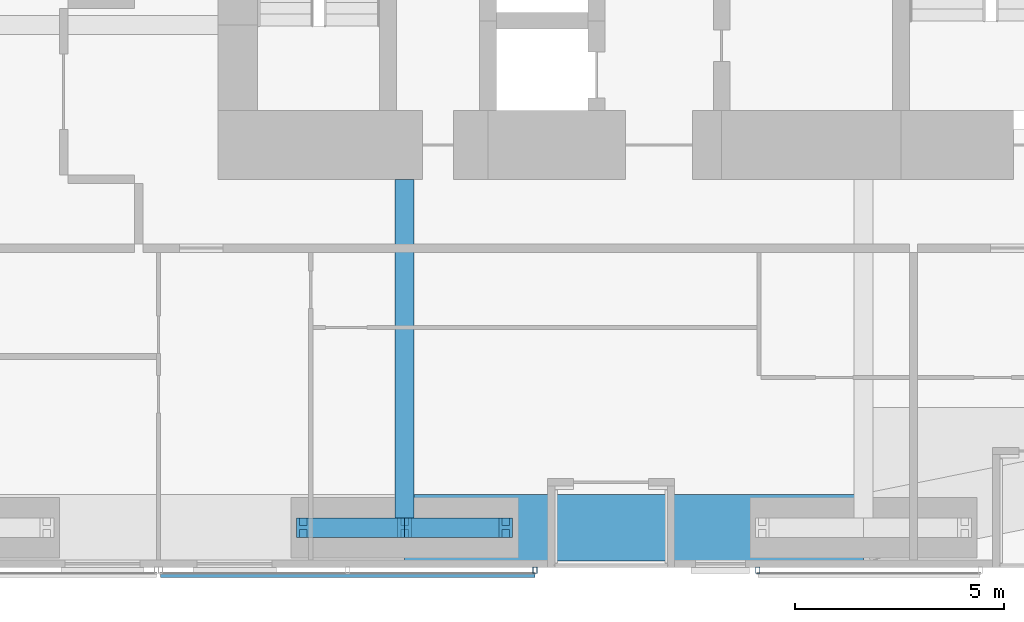
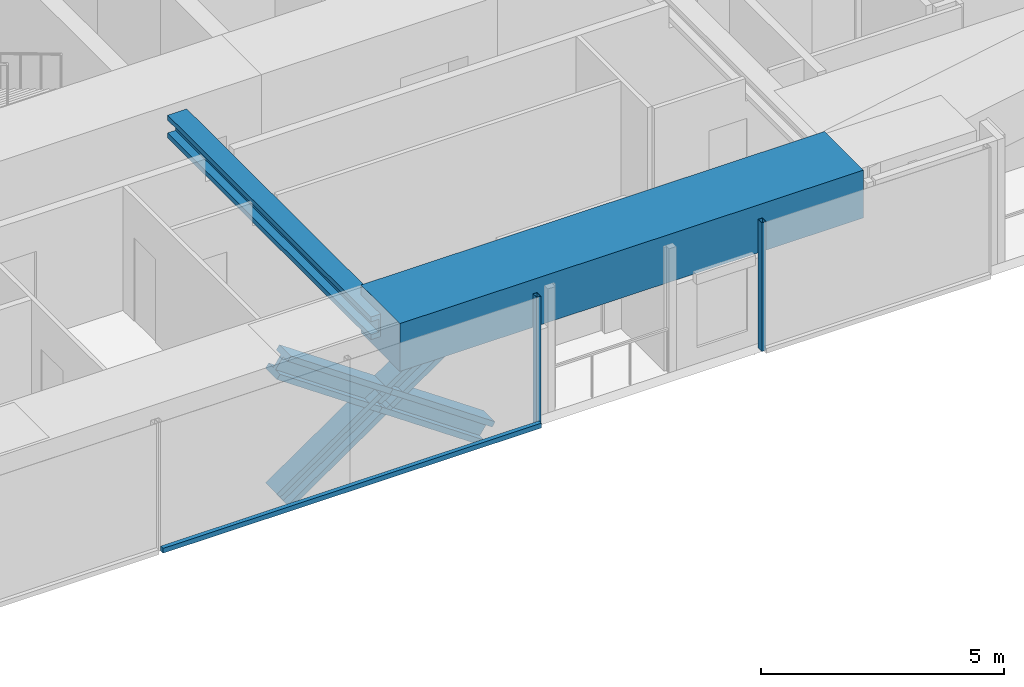
# One storey, part 5 of 24: 7 members, 2 beams, 2 elements without a shape of their own.
"""IFC4 building model written with IfcOpenShell, lengths in metres."""

from ifc_helpers import new_model, si_unit, direction, frame, origin, origin_2d, place, context, subcontext, project, spatial, rectangle, hollow_rectangle, i_section, extrude, material, material_profile, profile_set, type_object, element, aggregate, save


model = new_model("IFC4")

# Units and contexts
model_context = context("Model", 3, precision=1e-05, world=origin(), true_north=direction((0.0, 1.0)))
body_context = subcontext(model_context, "Body", "Model", "MODEL_VIEW")
ifc_project = project(units=[si_unit("LENGTHUNIT", "METRE"), si_unit("AREAUNIT", "SQUARE_METRE"), si_unit("VOLUMEUNIT", "CUBIC_METRE"), si_unit("PLANEANGLEUNIT", "RADIAN"), si_unit("MASSUNIT", "GRAM", prefix="KILO")], contexts=[model_context])

# Site, building, storey
site_placement = place(None, origin())
site = spatial("IfcSite", under=ifc_project, at=site_placement, CompositionType="ELEMENT")
building_placement = place(site_placement, origin())
building = spatial("IfcBuilding", under=site, at=building_placement, Name="Jalousie Tower", CompositionType="ELEMENT")
storey_placement = place(building_placement, frame((0.0, 0.0, 44.449951171875)))
storey = spatial("IfcBuildingStorey", under=building, at=storey_placement, Name="L11", CompositionType="ELEMENT", Elevation=44.449951171875)

# Beam
ifc_material_1 = material(Name="Steel ASTM A992 Grade 50", Category="steel")
ifc_material_profile_1 = material_profile(ifc_material_1, i_section(OverallWidth=0.45458984375, OverallDepth=0.569091796875, WebThickness=0.077880859375, FlangeThickness=0.124755859375, at=origin_2d()), Name="W14X730")
ifc_profile_set_1 = profile_set([ifc_material_profile_1], Name="Steel ASTM A992 Grade 50")
beam_type_1 = type_object("IfcBeamType", Name="LEAN COLLECTOR W14X730", PredefinedType="BEAM", material=ifc_profile_set_1)
beam_1_placement = place(storey_placement, frame((24.0, 0.949951171875, 2.825439453125), z_axis=(0.0, 1.0, 0.0), x_axis=(-1.0, 0.0, 0.0)))
element("IfcBeam", 1, at=beam_1_placement, inside=storey, type_object=beam_type_1, Name="Lean collector under L12", PredefinedType="BEAM", context=body_context, shape_type="SweptSolid", body=[
    extrude(i_section(OverallWidth=0.45458984375, OverallDepth=0.569091796875, WebThickness=0.077880859375, FlangeThickness=0.124755859375, at=origin_2d()), origin(), (0.0, 0.0, 1.0), 8.35009765625),
])

# Members
ifc_material_2 = material(Name="Steel ASTM A992 Grade 50", Category="steel")
ifc_material_profile_2 = material_profile(ifc_material_2, i_section(OverallWidth=0.472412109375, OverallDepth=0.5791015625, WebThickness=0.094970703125, FlangeThickness=0.1298828125, at=origin_2d()), Name="W14X808")
ifc_profile_set_2 = profile_set([ifc_material_profile_2], Name="Steel ASTM A992 Grade 50")
member_type_1 = type_object("IfcMemberType", Name="PERIMETER BRACE W14X808", PredefinedType="BRACE", material=ifc_profile_set_2)
for number, where, z_axis, x_axis, name in (
    (2, (21.574951171875, 0.949951171875, -0.599853515625), (0.82283879777, 0.0, 0.568274856811), (0.0, 1.0, 0.0), "Perimeter brace 03 L11 part 1"),
    (3, (24.0, 0.949951171875, 1.074951171875), (0.822800062329, 0.0, 0.568330940062), (0.0, 1.0, 0.0), "Perimeter brace 03 L11 part 2"),
    (4, (26.425048828125, 0.949951171875, -0.599853515625), (-0.82283879777, 0.0, 0.568274856811), (0.0, -1.0, 0.0), "Perimeter brace 03 L11 part 3"),
    (5, (24.0, 0.949951171875, 1.074951171875), (-0.822800062329, 0.0, 0.568330940062), (0.0, -1.0, 0.0), "Perimeter brace 03 L11 part 4"),
):
    element("IfcMember", number, at=place(storey_placement, frame(where, z_axis=z_axis, x_axis=x_axis)), inside=storey, type_object=member_type_1, Name=name, PredefinedType="BRACE", context=body_context, shape_type="SweptSolid", body=[
        extrude(i_section(OverallWidth=0.472412109375, OverallDepth=0.5791015625, WebThickness=0.094970703125, FlangeThickness=0.1298828125, at=origin_2d()), origin(), (0.0, 0.0, 1.0), 2.947265625),
    ])

# Beam
ifc_material_3 = material(Name="Concrete f'c 40 MPa", Category="concrete")
ifc_material_profile_3 = material_profile(ifc_material_3, rectangle(XDim=1.60009765625, YDim=1.199951171875, at=origin_2d()), Name="RC 1600x1200")
ifc_profile_set_3 = profile_set([ifc_material_profile_3], Name="Concrete f'c 40 MPa")
beam_type_2 = type_object("IfcBeamType", Name="RC BEAM 1600x1200", PredefinedType="BEAM", material=ifc_profile_set_3)
beam_2_placement = place(storey_placement, frame((24.0, 0.949951171875, 2.75), z_axis=(1.0, 0.0, 0.0), x_axis=(0.0, 1.0, 0.0)))
element("IfcBeam", 6, at=beam_2_placement, inside=storey, type_object=beam_type_2, Name="Edge band beam 03-04 under L12", PredefinedType="BEAM", context=body_context, shape_type="SweptSolid", body=[
    extrude(rectangle(XDim=1.60009765625, YDim=1.199951171875, at=origin_2d()), origin(), (0.0, 0.0, 1.0), 11.0),
])

# Curtain wall, member
ifc_material_4 = material(Name="Perforated aluminium sheet", Category="aluminium")
curtain_wall_type = type_object("IfcCurtainWallType", Name="SOLAR SCREEN SS-1", PredefinedType="USERDEFINED", material=ifc_material_4)
curtain_wall_1_placement = place(storey_placement, origin())
curtain_wall_1 = element("IfcCurtainWall", 7, at=curtain_wall_1_placement, inside=storey, type_object=curtain_wall_type, Name="Solar screen L11", ObjectType="SOLAR SCREEN SS-1", PredefinedType="USERDEFINED")
ifc_material_5 = material(Name="Steel ASTM A500 Grade C", Category="steel")
ifc_material_profile_4 = material_profile(ifc_material_5, hollow_rectangle(XDim=0.1015625, YDim=0.15234375, WallThickness=0.00634765625, at=origin_2d()), Name="HSS6X4X1/4")
ifc_profile_set_4 = profile_set([ifc_material_profile_4], Name="Steel ASTM A500 Grade C")
member_type_2 = type_object("IfcMemberType", Name="SOLAR SCREEN SS-1 MULLION", PredefinedType="MULLION", material=ifc_profile_set_4)
member_1_placement = place(storey_placement, frame((27.125, -0.0712890625, -0.119873046875), z_axis=(0.0, 0.0, 1.0), x_axis=(1.0, 0.0, 0.0)))
member_1 = element("IfcMember", 8, at=member_1_placement, type_object=member_type_2, Name="SS1 post 3", PredefinedType="MULLION", context=body_context, shape_type="SweptSolid", body=[
    extrude(hollow_rectangle(XDim=0.1015625, YDim=0.15234375, WallThickness=0.00634765625, at=origin_2d()), origin(), (0.0, 0.0, 1.0), 3.22998046875),
])

curtain_wall_2_placement = place(storey_placement, origin())
curtain_wall_2 = element("IfcCurtainWall", 9, at=curtain_wall_2_placement, inside=storey, type_object=curtain_wall_type, Name="Solar screen L11", ObjectType="SOLAR SCREEN SS-1", PredefinedType="USERDEFINED")
member_2_placement = place(storey_placement, frame((32.4677734375, -0.0712890625, -0.119873046875), z_axis=(0.0, 0.0, 1.0), x_axis=(1.0, 0.0, 0.0)))
member_2 = element("IfcMember", 10, at=member_2_placement, type_object=member_type_2, Name="SS1 post 1", PredefinedType="MULLION", context=body_context, shape_type="SweptSolid", body=[
    extrude(hollow_rectangle(XDim=0.1015625, YDim=0.15234375, WallThickness=0.00634765625, at=origin_2d()), origin(), (0.0, 0.0, 1.0), 3.22998046875),
])
aggregate(curtain_wall_2, [member_2])

# Member
ifc_material_6 = material(Name="Extruded aluminium screen rail", Category="aluminium")
ifc_material_profile_5 = material_profile(ifc_material_6, rectangle(XDim=0.1015625, YDim=0.1201171875, at=origin_2d()), Name="RAIL 102x120")
ifc_profile_set_5 = profile_set([ifc_material_profile_5], Name="Extruded aluminium screen rail")
member_type_3 = type_object("IfcMemberType", Name="SOLAR SCREEN SS-1 TRANSOM", PredefinedType="USERDEFINED", material=ifc_profile_set_5)
member_3_placement = place(storey_placement, frame((18.14990234375, -0.1982421875, -0.06005859375), z_axis=(1.0, 0.0, 0.0), x_axis=(0.0, 1.0, 0.0)))
member_3 = element("IfcMember", 11, at=member_3_placement, type_object=member_type_3, Name="SS1 rail", ObjectType="TRANSOM", PredefinedType="USERDEFINED", context=body_context, shape_type="SweptSolid", body=[
    extrude(rectangle(XDim=0.1015625, YDim=0.1201171875, at=origin_2d()), origin(), (0.0, 0.0, 1.0), 8.97509765625),
])

aggregate(curtain_wall_1, [member_1, member_3])

save(model, "model.ifc")
